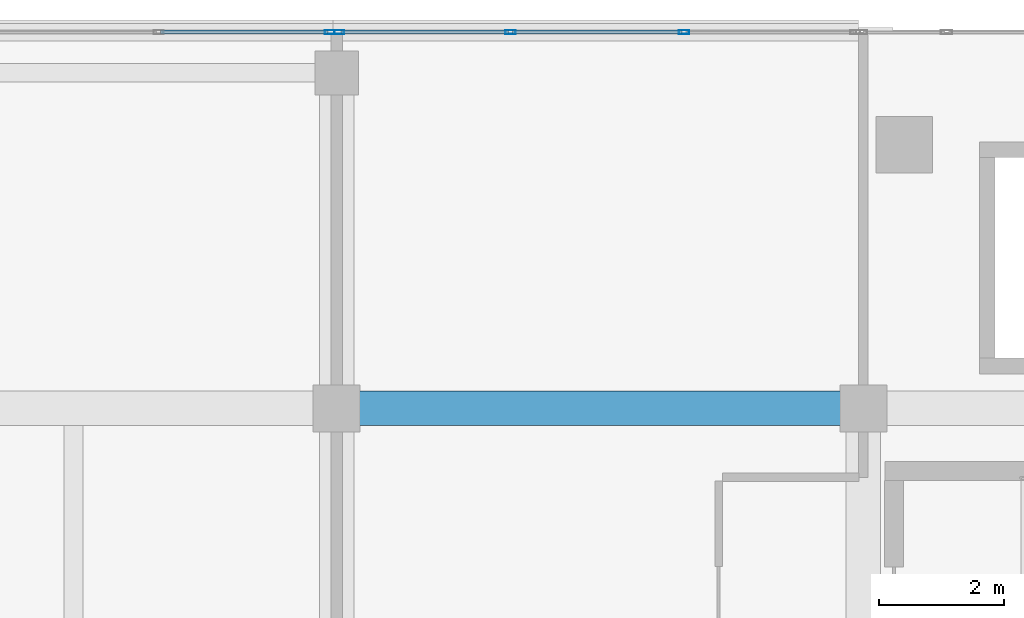
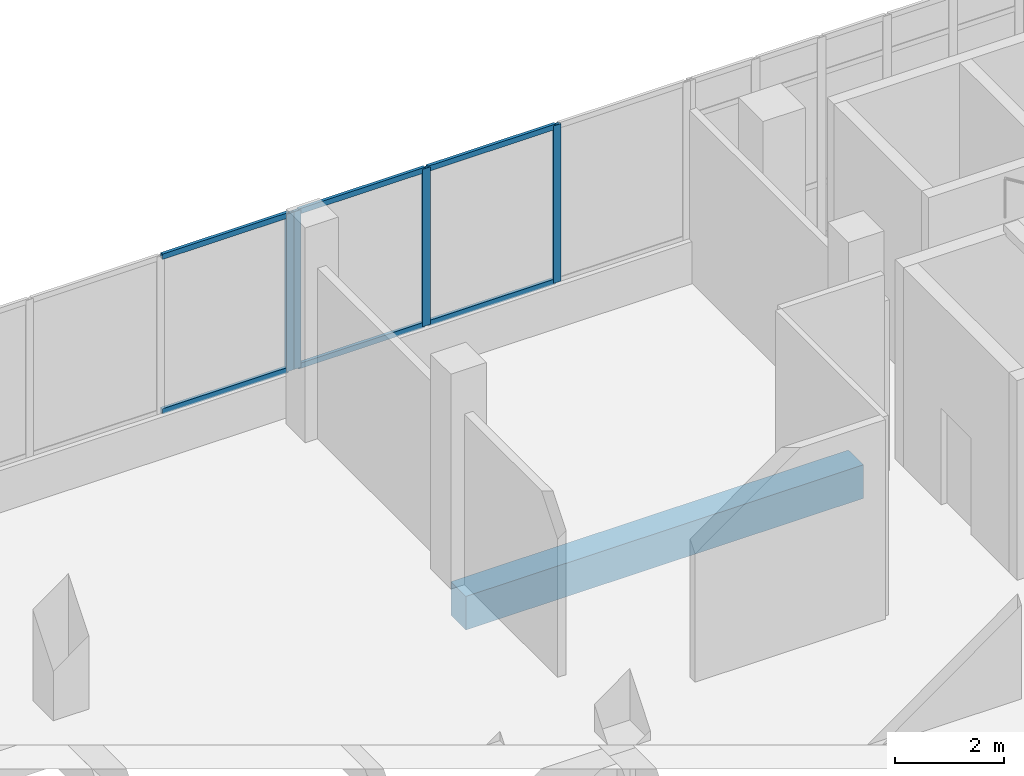
# One storey, part 69 of 155: 10 members, 1 beam, 2 elements without a shape of their own.
"""IFC4 building model written with IfcOpenShell, lengths in metres."""

from ifc_helpers import new_model, si_unit, direction, frame, origin, origin_2d, place, context, subcontext, project, spatial, rectangle, hollow_rectangle, extrude, material, material_profile, profile_set, type_object, element, aggregate, save


model = new_model("IFC4")

# Units and contexts
model_context = context("Model", 3, precision=1e-05, world=origin(), true_north=direction((0.0, 1.0)))
body_context = subcontext(model_context, "Body", "Model", "MODEL_VIEW")
ifc_project = project(units=[si_unit("LENGTHUNIT", "METRE"), si_unit("AREAUNIT", "SQUARE_METRE"), si_unit("VOLUMEUNIT", "CUBIC_METRE"), si_unit("PLANEANGLEUNIT", "RADIAN"), si_unit("MASSUNIT", "GRAM", prefix="KILO")], contexts=[model_context])

# Site, building, storey
site_placement = place(None, origin())
site = spatial("IfcSite", under=ifc_project, at=site_placement, CompositionType="ELEMENT")
building_placement = place(site_placement, origin())
building = spatial("IfcBuilding", under=site, at=building_placement, Name="Selatvlak General Hospital", CompositionType="ELEMENT")
storey_placement = place(building_placement, frame((0.0, 0.0, 10.199951171875)))
storey = spatial("IfcBuildingStorey", under=building, at=storey_placement, Name="L02", CompositionType="ELEMENT", Elevation=10.199951171875)

# Beam
ifc_material_1 = material(Name="Concrete C40/50", Category="concrete")
ifc_material_profile_1 = material_profile(ifc_material_1, rectangle(XDim=0.550048828125, YDim=0.75, at=origin_2d()), Name="RC-BM 550x750")
ifc_profile_set_1 = profile_set([ifc_material_profile_1], Name="Concrete C40/50")
beam_type = type_object("IfcBeamType", Name="BM-G02", PredefinedType="BEAM", material=ifc_profile_set_1)
beam_placement = place(storey_placement, frame((39.60009765625, 114.0, -0.72998046875), z_axis=(1.0, 0.0, 0.0), x_axis=(0.0, 1.0, 0.0)))
element("IfcBeam", 1, at=beam_placement, inside=storey, type_object=beam_type, Name="Beam BMR-L02-0897", PredefinedType="BEAM", context=body_context, shape_type="SweptSolid", body=[
    extrude(rectangle(XDim=0.550048828125, YDim=0.75, at=origin_2d()), origin(), (0.0, 0.0, 1.0), 8.39990234375),
])

# Curtain wall, member
ifc_material_2 = material(Name="Solar-control Low-E double glazing", Category="glass")
curtain_wall_type_1 = type_object("IfcCurtainWallType", Name="CW-CW-02", PredefinedType="USERDEFINED", material=ifc_material_2)
curtain_wall_1_placement = place(storey_placement, origin())
curtain_wall_1 = element("IfcCurtainWall", 2, at=curtain_wall_1_placement, inside=storey, type_object=curtain_wall_type_1, Name="Glazed facade curtain wall CW-L02-0245", ObjectType="UNITISED CURTAIN WALL", PredefinedType="USERDEFINED")
ifc_material_3 = material(Name="Dark anodised aluminium mullion", Category="aluminium")
ifc_material_profile_2 = material_profile(ifc_material_3, hollow_rectangle(XDim=0.06494140625, YDim=0.159912109375, WallThickness=0.00390625, at=origin_2d()), Name="AL-MUL 65x160x4")
ifc_profile_set_2 = profile_set([ifc_material_profile_2], Name="Dark anodised aluminium mullion")
member_type_1 = type_object("IfcMemberType", Name="CWM-01", PredefinedType="MULLION", material=ifc_profile_set_2)
member_1_placement = place(storey_placement, frame((39.492431640625, 119.9990234375, 0.93994140625), z_axis=(0.0, 0.0, 1.0), x_axis=(0.0, 1.0, 0.0)))
member_1 = element("IfcMember", 3, at=member_1_placement, type_object=member_type_1, Name="CW-02 mullion 4", PredefinedType="MULLION", context=body_context, shape_type="SweptSolid", body=[
    extrude(hollow_rectangle(XDim=0.06494140625, YDim=0.159912109375, WallThickness=0.00390625, at=origin_2d()), origin(), (0.0, 0.0, 1.0), 3.52001953125),
])

# Curtain wall, members
curtain_wall_type_2 = type_object("IfcCurtainWallType", Name="CW-CW-01", PredefinedType="USERDEFINED", material=ifc_material_2)
curtain_wall_2_placement = place(storey_placement, origin())
curtain_wall_2 = element("IfcCurtainWall", 4, at=curtain_wall_2_placement, inside=storey, type_object=curtain_wall_type_2, Name="Glazed facade curtain wall CW-L02-0246", ObjectType="UNITISED CURTAIN WALL", PredefinedType="USERDEFINED")
member_2_placement = place(storey_placement, frame((39.637451171875, 119.9990234375, 0.93994140625), z_axis=(0.0, 0.0, 1.0), x_axis=(0.0, 1.0, 0.0)))
member_2 = element("IfcMember", 5, at=member_2_placement, type_object=member_type_1, Name="CW-01 mullion 1", PredefinedType="MULLION", context=body_context, shape_type="SweptSolid", body=[
    extrude(hollow_rectangle(XDim=0.06494140625, YDim=0.159912109375, WallThickness=0.00390625, at=origin_2d()), origin(), (0.0, 0.0, 1.0), 3.52001953125),
])
member_3_placement = place(storey_placement, frame((42.37158203125, 119.9990234375, 0.93994140625), z_axis=(0.0, 0.0, 1.0), x_axis=(0.0, 1.0, 0.0)))
member_3 = element("IfcMember", 6, at=member_3_placement, type_object=member_type_1, Name="CW-01 mullion 2", PredefinedType="MULLION", context=body_context, shape_type="SweptSolid", body=[
    extrude(hollow_rectangle(XDim=0.06494140625, YDim=0.159912109375, WallThickness=0.00390625, at=origin_2d()), origin(), (0.0, 0.0, 1.0), 3.52001953125),
])
member_4_placement = place(storey_placement, frame((45.138427734375, 119.9990234375, 0.93994140625), z_axis=(0.0, 0.0, 1.0), x_axis=(0.0, 1.0, 0.0)))
member_4 = element("IfcMember", 7, at=member_4_placement, type_object=member_type_1, Name="CW-01 mullion 3", PredefinedType="MULLION", context=body_context, shape_type="SweptSolid", body=[
    extrude(hollow_rectangle(XDim=0.06494140625, YDim=0.159912109375, WallThickness=0.00390625, at=origin_2d()), origin(), (0.0, 0.0, 1.0), 3.52001953125),
])

# Member
ifc_material_profile_3 = material_profile(ifc_material_3, hollow_rectangle(XDim=0.06494140625, YDim=0.1201171875, WallThickness=0.00390625, at=origin_2d()), Name="AL-TRN 65x120x4")
ifc_profile_set_3 = profile_set([ifc_material_profile_3], Name="Dark anodised aluminium mullion")
member_type_2 = type_object("IfcMemberType", Name="CWT-01", PredefinedType="USERDEFINED", material=ifc_profile_set_3)
member_5_placement = place(storey_placement, frame((36.790771484375, 119.9990234375, 0.97265625), z_axis=(1.0, 0.0, 0.0), x_axis=(0.0, 1.0, 0.0)))
member_5 = element("IfcMember", 8, at=member_5_placement, type_object=member_type_2, Name="CW-02 transom 3.1", ObjectType="TRANSOM", PredefinedType="USERDEFINED", context=body_context, shape_type="SweptSolid", body=[
    extrude(hollow_rectangle(XDim=0.06494140625, YDim=0.1201171875, WallThickness=0.00390625, at=origin_2d()), origin(), (0.0, 0.0, 1.0), 2.669189453125),
])

member_6_placement = place(storey_placement, frame((36.790771484375, 119.9990234375, 4.427490234375), z_axis=(1.0, 0.0, 0.0), x_axis=(0.0, 1.0, 0.0)))
member_6 = element("IfcMember", 9, at=member_6_placement, type_object=member_type_2, Name="CW-02 transom 3.2", ObjectType="TRANSOM", PredefinedType="USERDEFINED", context=body_context, shape_type="SweptSolid", body=[
    extrude(hollow_rectangle(XDim=0.06494140625, YDim=0.1201171875, WallThickness=0.00390625, at=origin_2d()), origin(), (0.0, 0.0, 1.0), 2.669189453125),
])

aggregate(curtain_wall_1, [member_1, member_5, member_6])

member_7_placement = place(storey_placement, frame((39.669921875, 119.9990234375, 0.97265625), z_axis=(1.0, 0.0, 0.0), x_axis=(0.0, 1.0, 0.0)))
member_7 = element("IfcMember", 10, at=member_7_placement, type_object=member_type_2, Name="CW-01 transom 1.1", ObjectType="TRANSOM", PredefinedType="USERDEFINED", context=body_context, shape_type="SweptSolid", body=[
    extrude(hollow_rectangle(XDim=0.06494140625, YDim=0.1201171875, WallThickness=0.00390625, at=origin_2d()), origin(), (0.0, 0.0, 1.0), 2.669189453125),
])

member_8_placement = place(storey_placement, frame((39.669921875, 119.9990234375, 4.427490234375), z_axis=(1.0, 0.0, 0.0), x_axis=(0.0, 1.0, 0.0)))
member_8 = element("IfcMember", 11, at=member_8_placement, type_object=member_type_2, Name="CW-01 transom 1.2", ObjectType="TRANSOM", PredefinedType="USERDEFINED", context=body_context, shape_type="SweptSolid", body=[
    extrude(hollow_rectangle(XDim=0.06494140625, YDim=0.1201171875, WallThickness=0.00390625, at=origin_2d()), origin(), (0.0, 0.0, 1.0), 2.669189453125),
])

member_9_placement = place(storey_placement, frame((42.404052734375, 119.9990234375, 0.97265625), z_axis=(1.0, 0.0, 0.0), x_axis=(0.0, 1.0, 0.0)))
member_9 = element("IfcMember", 12, at=member_9_placement, type_object=member_type_2, Name="CW-01 transom 2.1", ObjectType="TRANSOM", PredefinedType="USERDEFINED", context=body_context, shape_type="SweptSolid", body=[
    extrude(hollow_rectangle(XDim=0.06494140625, YDim=0.1201171875, WallThickness=0.00390625, at=origin_2d()), origin(), (0.0, 0.0, 1.0), 2.70166015625),
])

member_10_placement = place(storey_placement, frame((42.404052734375, 119.9990234375, 4.427490234375), z_axis=(1.0, 0.0, 0.0), x_axis=(0.0, 1.0, 0.0)))
member_10 = element("IfcMember", 13, at=member_10_placement, type_object=member_type_2, Name="CW-01 transom 2.2", ObjectType="TRANSOM", PredefinedType="USERDEFINED", context=body_context, shape_type="SweptSolid", body=[
    extrude(hollow_rectangle(XDim=0.06494140625, YDim=0.1201171875, WallThickness=0.00390625, at=origin_2d()), origin(), (0.0, 0.0, 1.0), 2.70166015625),
])

aggregate(curtain_wall_2, [member_2, member_3, member_4, member_7, member_8, member_9, member_10])

save(model, "model.ifc")
